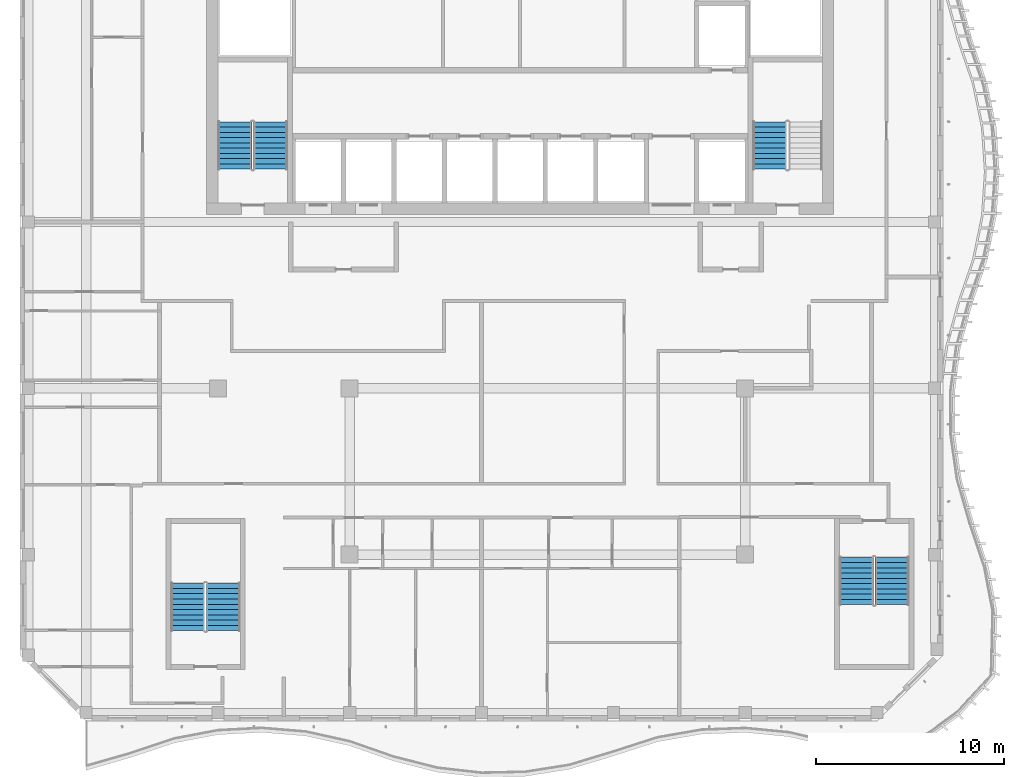
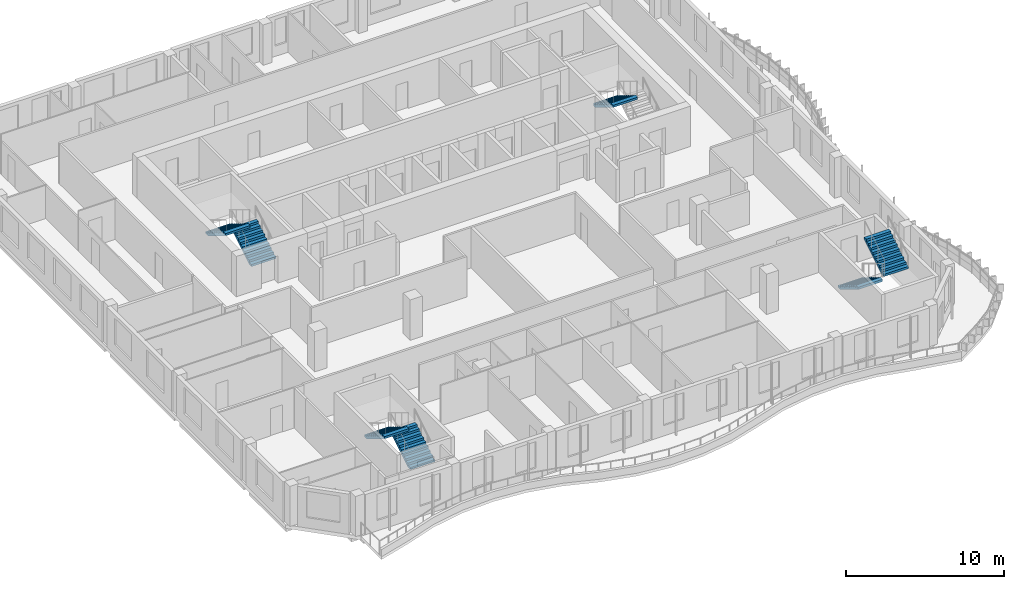
# One storey, part 10 of 18: 7 stair flights, 4 elements without a shape of their own.
"""IFC4 building model written with IfcOpenShell, lengths in metres."""

from ifc_helpers import new_model, si_unit, direction, frame, origin, place, context, subcontext, project, spatial, triangles, source, transform, mapped, material, type_object, element, aggregate, save


model = new_model("IFC4")

# Units and contexts
model_context = context("Model", 3, precision=1e-05, world=origin(), true_north=direction((0.0, 1.0)))
body_context = subcontext(model_context, "Body", "Model", "MODEL_VIEW")
ifc_project = project(units=[si_unit("LENGTHUNIT", "METRE"), si_unit("AREAUNIT", "SQUARE_METRE"), si_unit("VOLUMEUNIT", "CUBIC_METRE"), si_unit("PLANEANGLEUNIT", "RADIAN"), si_unit("MASSUNIT", "GRAM", prefix="KILO")], contexts=[model_context])

# Site, building, storey
site_placement = place(None, origin())
site = spatial("IfcSite", under=ifc_project, at=site_placement, CompositionType="ELEMENT")
building_placement = place(site_placement, origin())
building = spatial("IfcBuilding", under=site, at=building_placement, Name="Kilnfold Tower and Market Hall", CompositionType="ELEMENT")
storey_placement = place(building_placement, frame((0.0, 0.0, 280.60009765625)))
storey = spatial("IfcBuildingStorey", under=building, at=storey_placement, Name="L69", CompositionType="ELEMENT", Elevation=280.60009765625)

# Stair, stair flights
ifc_material_1 = material(Name="Concrete C40/50", Category="concrete")
stair_type = type_object("IfcStairType", Name="CORE STAIR 1800", PredefinedType="HALF_TURN_STAIR", material=ifc_material_1)
stair_1_placement = place(storey_placement, origin())
stair_1 = element("IfcStair", 1, at=stair_1_placement, inside=storey, type_object=stair_type, Name="L69 ST1", PredefinedType="HALF_TURN_STAIR")
ifc_material_2 = material(Name="Concrete C40/50", Category="concrete")
stair_flight_type = type_object("IfcStairFlightType", Name="CORE STAIR FLIGHT 1800", PredefinedType="STRAIGHT", material=ifc_material_2)
shared_shape = source(origin(), body_context, "Body", "Tessellation", [
    triangles([(0.0, 0.89990234375, 0.0), (0.0, 0.78759765625, 0.0), (0.0, 0.675048828125, 0.0), (0.0, 0.5625, 0.0), (0.0, 0.449951171875, 0.0), (0.0, 0.33740234375, 0.0), (0.0, 0.22509765625, 0.0), (0.0, 0.112548828125, 0.0), (0.0, 0.0, 0.0), (0.0, -0.112548828125, 0.0), (0.0, -0.22509765625, 0.0), (0.0, -0.33740234375, 0.0), (0.0, -0.449951171875, 0.0), (0.0, -0.5625, 0.0), (0.0, -0.675048828125, 0.0), (0.0, -0.78759765625, 0.0), (0.0, -0.89990234375, 0.0), (0.0, 0.89990234375, 0.169921875), (0.0, 0.78759765625, 0.169921875), (0.0, 0.675048828125, 0.169921875), (0.0, 0.5625, 0.169921875), (0.0, 0.449951171875, 0.169921875), (0.0, 0.33740234375, 0.169921875), (0.0, 0.22509765625, 0.169921875), (0.0, 0.112548828125, 0.169921875), (0.0, 0.0, 0.169921875), (0.0, -0.112548828125, 0.169921875), (0.0, -0.22509765625, 0.169921875), (0.0, -0.33740234375, 0.169921875), (0.0, -0.449951171875, 0.169921875), (0.0, -0.5625, 0.169921875), (0.0, -0.675048828125, 0.169921875), (0.0, -0.78759765625, 0.169921875), (0.0, -0.89990234375, 0.169921875), (0.280029296875, 0.89990234375, 0.169921875), (0.280029296875, 0.78759765625, 0.169921875), (0.280029296875, 0.675048828125, 0.169921875), (0.280029296875, 0.5625, 0.169921875), (0.280029296875, 0.449951171875, 0.169921875), (0.280029296875, 0.33740234375, 0.169921875), (0.280029296875, 0.22509765625, 0.169921875), (0.280029296875, 0.112548828125, 0.169921875), (0.280029296875, 0.0, 0.169921875), (0.280029296875, -0.112548828125, 0.169921875), (0.280029296875, -0.22509765625, 0.169921875), (0.280029296875, -0.33740234375, 0.169921875), (0.280029296875, -0.449951171875, 0.169921875), (0.280029296875, -0.5625, 0.169921875), (0.280029296875, -0.675048828125, 0.169921875), (0.280029296875, -0.78759765625, 0.169921875), (0.280029296875, -0.89990234375, 0.169921875), (0.280029296875, 0.89990234375, 0.340087890625), (0.280029296875, 0.78759765625, 0.340087890625), (0.280029296875, 0.675048828125, 0.340087890625), (0.280029296875, 0.5625, 0.340087890625), (0.280029296875, 0.449951171875, 0.340087890625), (0.280029296875, 0.33740234375, 0.340087890625), (0.280029296875, 0.22509765625, 0.340087890625), (0.280029296875, 0.112548828125, 0.340087890625), (0.280029296875, 0.0, 0.340087890625), (0.280029296875, -0.112548828125, 0.340087890625), (0.280029296875, -0.22509765625, 0.340087890625), (0.280029296875, -0.33740234375, 0.340087890625), (0.280029296875, -0.449951171875, 0.340087890625), (0.280029296875, -0.5625, 0.340087890625), (0.280029296875, -0.675048828125, 0.340087890625), (0.280029296875, -0.78759765625, 0.340087890625), (0.280029296875, -0.89990234375, 0.340087890625), (0.56005859375, 0.89990234375, 0.340087890625), (0.56005859375, 0.78759765625, 0.340087890625), (0.56005859375, 0.675048828125, 0.340087890625), (0.56005859375, 0.5625, 0.340087890625), (0.56005859375, 0.449951171875, 0.340087890625), (0.56005859375, 0.33740234375, 0.340087890625), (0.56005859375, 0.22509765625, 0.340087890625), (0.56005859375, 0.112548828125, 0.340087890625), (0.56005859375, 0.0, 0.340087890625), (0.56005859375, -0.112548828125, 0.340087890625), (0.56005859375, -0.22509765625, 0.340087890625), (0.56005859375, -0.33740234375, 0.340087890625), (0.56005859375, -0.449951171875, 0.340087890625), (0.56005859375, -0.5625, 0.340087890625), (0.56005859375, -0.675048828125, 0.340087890625), (0.56005859375, -0.78759765625, 0.340087890625), (0.56005859375, -0.89990234375, 0.340087890625), (0.56005859375, 0.89990234375, 0.510009765625), (0.56005859375, 0.78759765625, 0.510009765625), (0.56005859375, 0.675048828125, 0.510009765625), (0.56005859375, 0.5625, 0.510009765625), (0.56005859375, 0.449951171875, 0.510009765625), (0.56005859375, 0.33740234375, 0.510009765625), (0.56005859375, 0.22509765625, 0.510009765625), (0.56005859375, 0.112548828125, 0.510009765625), (0.56005859375, 0.0, 0.510009765625), (0.56005859375, -0.112548828125, 0.510009765625), (0.56005859375, -0.22509765625, 0.510009765625), (0.56005859375, -0.33740234375, 0.510009765625), (0.56005859375, -0.449951171875, 0.510009765625), (0.56005859375, -0.5625, 0.510009765625), (0.56005859375, -0.675048828125, 0.510009765625), (0.56005859375, -0.78759765625, 0.510009765625), (0.56005859375, -0.89990234375, 0.510009765625), (0.840087890625, 0.89990234375, 0.510009765625), (0.840087890625, 0.78759765625, 0.510009765625), (0.840087890625, 0.675048828125, 0.510009765625), (0.840087890625, 0.5625, 0.510009765625), (0.840087890625, 0.449951171875, 0.510009765625), (0.840087890625, 0.33740234375, 0.510009765625), (0.840087890625, 0.22509765625, 0.510009765625), (0.840087890625, 0.112548828125, 0.510009765625), (0.840087890625, 0.0, 0.510009765625), (0.840087890625, -0.112548828125, 0.510009765625), (0.840087890625, -0.22509765625, 0.510009765625), (0.840087890625, -0.33740234375, 0.510009765625), (0.840087890625, -0.449951171875, 0.510009765625), (0.840087890625, -0.5625, 0.510009765625), (0.840087890625, -0.675048828125, 0.510009765625), (0.840087890625, -0.78759765625, 0.510009765625), (0.840087890625, -0.89990234375, 0.510009765625), (0.840087890625, 0.89990234375, 0.679931640625), (0.840087890625, 0.78759765625, 0.679931640625), (0.840087890625, 0.675048828125, 0.679931640625), (0.840087890625, 0.5625, 0.679931640625), (0.840087890625, 0.449951171875, 0.679931640625), (0.840087890625, 0.33740234375, 0.679931640625), (0.840087890625, 0.22509765625, 0.679931640625), (0.840087890625, 0.112548828125, 0.679931640625), (0.840087890625, 0.0, 0.679931640625), (0.840087890625, -0.112548828125, 0.679931640625), (0.840087890625, -0.22509765625, 0.679931640625), (0.840087890625, -0.33740234375, 0.679931640625), (0.840087890625, -0.449951171875, 0.679931640625), (0.840087890625, -0.5625, 0.679931640625), (0.840087890625, -0.675048828125, 0.679931640625), (0.840087890625, -0.78759765625, 0.679931640625), (0.840087890625, -0.89990234375, 0.679931640625), (1.1201171875, 0.89990234375, 0.679931640625), (1.1201171875, 0.78759765625, 0.679931640625), (1.1201171875, 0.675048828125, 0.679931640625), (1.1201171875, 0.5625, 0.679931640625), (1.1201171875, 0.449951171875, 0.679931640625), (1.1201171875, 0.33740234375, 0.679931640625), (1.1201171875, 0.22509765625, 0.679931640625), (1.1201171875, 0.112548828125, 0.679931640625), (1.1201171875, 0.0, 0.679931640625), (1.1201171875, -0.112548828125, 0.679931640625), (1.1201171875, -0.22509765625, 0.679931640625), (1.1201171875, -0.33740234375, 0.679931640625), (1.1201171875, -0.449951171875, 0.679931640625), (1.1201171875, -0.5625, 0.679931640625), (1.1201171875, -0.675048828125, 0.679931640625), (1.1201171875, -0.78759765625, 0.679931640625), (1.1201171875, -0.89990234375, 0.679931640625), (1.1201171875, 0.89990234375, 0.85009765625), (1.1201171875, 0.78759765625, 0.85009765625), (1.1201171875, 0.675048828125, 0.85009765625), (1.1201171875, 0.5625, 0.85009765625), (1.1201171875, 0.449951171875, 0.85009765625), (1.1201171875, 0.33740234375, 0.85009765625), (1.1201171875, 0.22509765625, 0.85009765625), (1.1201171875, 0.112548828125, 0.85009765625), (1.1201171875, 0.0, 0.85009765625), (1.1201171875, -0.112548828125, 0.85009765625), (1.1201171875, -0.22509765625, 0.85009765625), (1.1201171875, -0.33740234375, 0.85009765625), (1.1201171875, -0.449951171875, 0.85009765625), (1.1201171875, -0.5625, 0.85009765625), (1.1201171875, -0.675048828125, 0.85009765625), (1.1201171875, -0.78759765625, 0.85009765625), (1.1201171875, -0.89990234375, 0.85009765625), (1.39990234375, 0.89990234375, 0.85009765625), (1.39990234375, 0.78759765625, 0.85009765625), (1.39990234375, 0.675048828125, 0.85009765625), (1.39990234375, 0.5625, 0.85009765625), (1.39990234375, 0.449951171875, 0.85009765625), (1.39990234375, 0.33740234375, 0.85009765625), (1.39990234375, 0.22509765625, 0.85009765625), (1.39990234375, 0.112548828125, 0.85009765625), (1.39990234375, 0.0, 0.85009765625), (1.39990234375, -0.112548828125, 0.85009765625), (1.39990234375, -0.22509765625, 0.85009765625), (1.39990234375, -0.33740234375, 0.85009765625), (1.39990234375, -0.449951171875, 0.85009765625), (1.39990234375, -0.5625, 0.85009765625), (1.39990234375, -0.675048828125, 0.85009765625), (1.39990234375, -0.78759765625, 0.85009765625), (1.39990234375, -0.89990234375, 0.85009765625), (1.39990234375, 0.89990234375, 1.02001953125), (1.39990234375, 0.78759765625, 1.02001953125), (1.39990234375, 0.675048828125, 1.02001953125), (1.39990234375, 0.5625, 1.02001953125), (1.39990234375, 0.449951171875, 1.02001953125), (1.39990234375, 0.33740234375, 1.02001953125), (1.39990234375, 0.22509765625, 1.02001953125), (1.39990234375, 0.112548828125, 1.02001953125), (1.39990234375, 0.0, 1.02001953125), (1.39990234375, -0.112548828125, 1.02001953125), (1.39990234375, -0.22509765625, 1.02001953125), (1.39990234375, -0.33740234375, 1.02001953125), (1.39990234375, -0.449951171875, 1.02001953125), (1.39990234375, -0.5625, 1.02001953125), (1.39990234375, -0.675048828125, 1.02001953125), (1.39990234375, -0.78759765625, 1.02001953125), (1.39990234375, -0.89990234375, 1.02001953125), (1.679931640625, 0.89990234375, 1.02001953125), (1.679931640625, 0.78759765625, 1.02001953125), (1.679931640625, 0.675048828125, 1.02001953125), (1.679931640625, 0.5625, 1.02001953125), (1.679931640625, 0.449951171875, 1.02001953125), (1.679931640625, 0.33740234375, 1.02001953125), (1.679931640625, 0.22509765625, 1.02001953125), (1.679931640625, 0.112548828125, 1.02001953125), (1.679931640625, 0.0, 1.02001953125), (1.679931640625, -0.112548828125, 1.02001953125), (1.679931640625, -0.22509765625, 1.02001953125), (1.679931640625, -0.33740234375, 1.02001953125), (1.679931640625, -0.449951171875, 1.02001953125), (1.679931640625, -0.5625, 1.02001953125), (1.679931640625, -0.675048828125, 1.02001953125), (1.679931640625, -0.78759765625, 1.02001953125), (1.679931640625, -0.89990234375, 1.02001953125), (1.679931640625, 0.89990234375, 1.18994140625), (1.679931640625, 0.78759765625, 1.18994140625), (1.679931640625, 0.675048828125, 1.18994140625), (1.679931640625, 0.5625, 1.18994140625), (1.679931640625, 0.449951171875, 1.18994140625), (1.679931640625, 0.33740234375, 1.18994140625), (1.679931640625, 0.22509765625, 1.18994140625), (1.679931640625, 0.112548828125, 1.18994140625), (1.679931640625, 0.0, 1.18994140625), (1.679931640625, -0.112548828125, 1.18994140625), (1.679931640625, -0.22509765625, 1.18994140625), (1.679931640625, -0.33740234375, 1.18994140625), (1.679931640625, -0.449951171875, 1.18994140625), (1.679931640625, -0.5625, 1.18994140625), (1.679931640625, -0.675048828125, 1.18994140625), (1.679931640625, -0.78759765625, 1.18994140625), (1.679931640625, -0.89990234375, 1.18994140625), (1.9599609375, 0.89990234375, 1.18994140625), (1.9599609375, 0.78759765625, 1.18994140625), (1.9599609375, 0.675048828125, 1.18994140625), (1.9599609375, 0.5625, 1.18994140625), (1.9599609375, 0.449951171875, 1.18994140625), (1.9599609375, 0.33740234375, 1.18994140625), (1.9599609375, 0.22509765625, 1.18994140625), (1.9599609375, 0.112548828125, 1.18994140625), (1.9599609375, 0.0, 1.18994140625), (1.9599609375, -0.112548828125, 1.18994140625), (1.9599609375, -0.22509765625, 1.18994140625), (1.9599609375, -0.33740234375, 1.18994140625), (1.9599609375, -0.449951171875, 1.18994140625), (1.9599609375, -0.5625, 1.18994140625), (1.9599609375, -0.675048828125, 1.18994140625), (1.9599609375, -0.78759765625, 1.18994140625), (1.9599609375, -0.89990234375, 1.18994140625), (1.9599609375, 0.89990234375, 1.360107421875), (1.9599609375, 0.78759765625, 1.360107421875), (1.9599609375, 0.675048828125, 1.360107421875), (1.9599609375, 0.5625, 1.360107421875), (1.9599609375, 0.449951171875, 1.360107421875), (1.9599609375, 0.33740234375, 1.360107421875), (1.9599609375, 0.22509765625, 1.360107421875), (1.9599609375, 0.112548828125, 1.360107421875), (1.9599609375, 0.0, 1.360107421875), (1.9599609375, -0.112548828125, 1.360107421875), (1.9599609375, -0.22509765625, 1.360107421875), (1.9599609375, -0.33740234375, 1.360107421875), (1.9599609375, -0.449951171875, 1.360107421875), (1.9599609375, -0.5625, 1.360107421875), (1.9599609375, -0.675048828125, 1.360107421875), (1.9599609375, -0.78759765625, 1.360107421875), (1.9599609375, -0.89990234375, 1.360107421875), (2.239990234375, 0.89990234375, 1.360107421875), (2.239990234375, 0.78759765625, 1.360107421875), (2.239990234375, 0.675048828125, 1.360107421875), (2.239990234375, 0.5625, 1.360107421875), (2.239990234375, 0.449951171875, 1.360107421875), (2.239990234375, 0.33740234375, 1.360107421875), (2.239990234375, 0.22509765625, 1.360107421875), (2.239990234375, 0.112548828125, 1.360107421875), (2.239990234375, 0.0, 1.360107421875), (2.239990234375, -0.112548828125, 1.360107421875), (2.239990234375, -0.22509765625, 1.360107421875), (2.239990234375, -0.33740234375, 1.360107421875), (2.239990234375, -0.449951171875, 1.360107421875), (2.239990234375, -0.5625, 1.360107421875), (2.239990234375, -0.675048828125, 1.360107421875), (2.239990234375, -0.78759765625, 1.360107421875), (2.239990234375, -0.89990234375, 1.360107421875), (2.239990234375, 0.89990234375, 1.530029296875), (2.239990234375, 0.78759765625, 1.530029296875), (2.239990234375, 0.675048828125, 1.530029296875), (2.239990234375, 0.5625, 1.530029296875), (2.239990234375, 0.449951171875, 1.530029296875), (2.239990234375, 0.33740234375, 1.530029296875), (2.239990234375, 0.22509765625, 1.530029296875), (2.239990234375, 0.112548828125, 1.530029296875), (2.239990234375, 0.0, 1.530029296875), (2.239990234375, -0.112548828125, 1.530029296875), (2.239990234375, -0.22509765625, 1.530029296875), (2.239990234375, -0.33740234375, 1.530029296875), (2.239990234375, -0.449951171875, 1.530029296875), (2.239990234375, -0.5625, 1.530029296875), (2.239990234375, -0.675048828125, 1.530029296875), (2.239990234375, -0.78759765625, 1.530029296875), (2.239990234375, -0.89990234375, 1.530029296875), (2.52001953125, 0.89990234375, 1.530029296875), (2.52001953125, 0.78759765625, 1.530029296875), (2.52001953125, 0.675048828125, 1.530029296875), (2.52001953125, 0.5625, 1.530029296875), (2.52001953125, 0.449951171875, 1.530029296875), (2.52001953125, 0.33740234375, 1.530029296875), (2.52001953125, 0.22509765625, 1.530029296875), (2.52001953125, 0.112548828125, 1.530029296875), (2.52001953125, 0.0, 1.530029296875), (2.52001953125, -0.112548828125, 1.530029296875), (2.52001953125, -0.22509765625, 1.530029296875), (2.52001953125, -0.33740234375, 1.530029296875), (2.52001953125, -0.449951171875, 1.530029296875), (2.52001953125, -0.5625, 1.530029296875), (2.52001953125, -0.675048828125, 1.530029296875), (2.52001953125, -0.78759765625, 1.530029296875), (2.52001953125, -0.89990234375, 1.530029296875), (2.52001953125, 0.89990234375, 1.354736328125), (2.52001953125, 0.78759765625, 1.354736328125), (2.52001953125, 0.675048828125, 1.354736328125), (2.52001953125, 0.5625, 1.354736328125), (2.52001953125, 0.449951171875, 1.354736328125), (2.52001953125, 0.33740234375, 1.354736328125), (2.52001953125, 0.22509765625, 1.354736328125), (2.52001953125, 0.112548828125, 1.354736328125), (2.52001953125, 0.0, 1.354736328125), (2.52001953125, -0.112548828125, 1.354736328125), (2.52001953125, -0.22509765625, 1.354736328125), (2.52001953125, -0.33740234375, 1.354736328125), (2.52001953125, -0.449951171875, 1.354736328125), (2.52001953125, -0.5625, 1.354736328125), (2.52001953125, -0.675048828125, 1.354736328125), (2.52001953125, -0.78759765625, 1.354736328125), (2.52001953125, -0.89990234375, 1.354736328125), (0.288818359375, 0.89990234375, 0.0), (0.288818359375, 0.78759765625, 0.0), (0.288818359375, 0.675048828125, 0.0), (0.288818359375, 0.5625, 0.0), (0.288818359375, 0.449951171875, 0.0), (0.288818359375, 0.33740234375, 0.0), (0.288818359375, 0.22509765625, 0.0), (0.288818359375, 0.112548828125, 0.0), (0.288818359375, 0.0, 0.0), (0.288818359375, -0.112548828125, 0.0), (0.288818359375, -0.22509765625, 0.0), (0.288818359375, -0.33740234375, 0.0), (0.288818359375, -0.449951171875, 0.0), (0.288818359375, -0.5625, 0.0), (0.288818359375, -0.675048828125, 0.0), (0.288818359375, -0.78759765625, 0.0), (0.288818359375, -0.89990234375, 0.0)], [[1, 324, 341], [17, 357, 340], [324, 290, 307], [340, 323, 306], [324, 273, 290], [340, 306, 289], [324, 256, 273], [340, 289, 272], [324, 239, 256], [340, 272, 255], [239, 205, 222], [255, 238, 221], [324, 205, 239], [340, 255, 221], [205, 171, 188], [221, 204, 187], [324, 171, 205], [340, 221, 187], [171, 137, 154], [187, 170, 153], [324, 137, 171], [340, 187, 153], [137, 103, 120], [153, 136, 119], [324, 103, 137], [340, 153, 119], [103, 69, 86], [119, 102, 85], [324, 69, 103], [340, 119, 85], [69, 35, 52], [85, 68, 51], [324, 35, 69], [340, 85, 51], [1, 35, 324], [17, 340, 51], [35, 1, 18], [51, 34, 17], [1, 19, 18], [1, 2, 19], [2, 20, 19], [2, 3, 20], [3, 21, 20], [3, 4, 21], [4, 22, 21], [4, 5, 22], [5, 23, 22], [5, 6, 23], [6, 24, 23], [6, 7, 24], [7, 25, 24], [7, 8, 25], [8, 26, 25], [8, 9, 26], [9, 27, 26], [9, 10, 27], [10, 28, 27], [10, 11, 28], [11, 29, 28], [11, 12, 29], [12, 30, 29], [12, 13, 30], [13, 31, 30], [13, 14, 31], [14, 32, 31], [14, 15, 32], [15, 33, 32], [15, 16, 33], [16, 34, 33], [16, 17, 34], [18, 36, 35], [18, 19, 36], [19, 37, 36], [19, 20, 37], [20, 38, 37], [20, 21, 38], [21, 39, 38], [21, 22, 39], [22, 40, 39], [22, 23, 40], [23, 41, 40], [23, 24, 41], [24, 42, 41], [24, 25, 42], [25, 43, 42], [25, 26, 43], [26, 44, 43], [26, 27, 44], [27, 45, 44], [27, 28, 45], [28, 46, 45], [28, 29, 46], [29, 47, 46], [29, 30, 47], [30, 48, 47], [30, 31, 48], [31, 49, 48], [31, 32, 49], [32, 50, 49], [32, 33, 50], [33, 51, 50], [33, 34, 51], [35, 53, 52], [35, 36, 53], [36, 54, 53], [36, 37, 54], [37, 55, 54], [37, 38, 55], [38, 56, 55], [38, 39, 56], [39, 57, 56], [39, 40, 57], [40, 58, 57], [40, 41, 58], [41, 59, 58], [41, 42, 59], [42, 60, 59], [42, 43, 60], [43, 61, 60], [43, 44, 61], [44, 62, 61], [44, 45, 62], [45, 63, 62], [45, 46, 63], [46, 64, 63], [46, 47, 64], [47, 65, 64], [47, 48, 65], [48, 66, 65], [48, 49, 66], [49, 67, 66], [49, 50, 67], [50, 68, 67], [50, 51, 68], [52, 70, 69], [52, 53, 70], [53, 71, 70], [53, 54, 71], [54, 72, 71], [54, 55, 72], [55, 73, 72], [55, 56, 73], [56, 74, 73], [56, 57, 74], [57, 75, 74], [57, 58, 75], [58, 76, 75], [58, 59, 76], [59, 77, 76], [59, 60, 77], [60, 78, 77], [60, 61, 78], [61, 79, 78], [61, 62, 79], [62, 80, 79], [62, 63, 80], [63, 81, 80], [63, 64, 81], [64, 82, 81], [64, 65, 82], [65, 83, 82], [65, 66, 83], [66, 84, 83], [66, 67, 84], [67, 85, 84], [67, 68, 85], [69, 87, 86], [69, 70, 87], [70, 88, 87], [70, 71, 88], [71, 89, 88], [71, 72, 89], [72, 90, 89], [72, 73, 90], [73, 91, 90], [73, 74, 91], [74, 92, 91], [74, 75, 92], [75, 93, 92], [75, 76, 93], [76, 94, 93], [76, 77, 94], [77, 95, 94], [77, 78, 95], [78, 96, 95], [78, 79, 96], [79, 97, 96], [79, 80, 97], [80, 98, 97], [80, 81, 98], [81, 99, 98], [81, 82, 99], [82, 100, 99], [82, 83, 100], [83, 101, 100], [83, 84, 101], [84, 102, 101], [84, 85, 102], [86, 104, 103], [86, 87, 104], [87, 105, 104], [87, 88, 105], [88, 106, 105], [88, 89, 106], [89, 107, 106], [89, 90, 107], [90, 108, 107], [90, 91, 108], [91, 109, 108], [91, 92, 109], [92, 110, 109], [92, 93, 110], [93, 111, 110], [93, 94, 111], [94, 112, 111], [94, 95, 112], [95, 113, 112], [95, 96, 113], [96, 114, 113], [96, 97, 114], [97, 115, 114], [97, 98, 115], [98, 116, 115], [98, 99, 116], [99, 117, 116], [99, 100, 117], [100, 118, 117], [100, 101, 118], [101, 119, 118], [101, 102, 119], [103, 121, 120], [103, 104, 121], [104, 122, 121], [104, 105, 122], [105, 123, 122], [105, 106, 123], [106, 124, 123], [106, 107, 124], [107, 125, 124], [107, 108, 125], [108, 126, 125], [108, 109, 126], [109, 127, 126], [109, 110, 127], [110, 128, 127], [110, 111, 128], [111, 129, 128], [111, 112, 129], [112, 130, 129], [112, 113, 130], [113, 131, 130], [113, 114, 131], [114, 132, 131], [114, 115, 132], [115, 133, 132], [115, 116, 133], [116, 134, 133], [116, 117, 134], [117, 135, 134], [117, 118, 135], [118, 136, 135], [118, 119, 136], [120, 138, 137], [120, 121, 138], [121, 139, 138], [121, 122, 139], [122, 140, 139], [122, 123, 140], [123, 141, 140], [123, 124, 141], [124, 142, 141], [124, 125, 142], [125, 143, 142], [125, 126, 143], [126, 144, 143], [126, 127, 144], [127, 145, 144], [127, 128, 145], [128, 146, 145], [128, 129, 146], [129, 147, 146], [129, 130, 147], [130, 148, 147], [130, 131, 148], [131, 149, 148], [131, 132, 149], [132, 150, 149], [132, 133, 150], [133, 151, 150], [133, 134, 151], [134, 152, 151], [134, 135, 152], [135, 153, 152], [135, 136, 153], [137, 155, 154], [137, 138, 155], [138, 156, 155], [138, 139, 156], [139, 157, 156], [139, 140, 157], [140, 158, 157], [140, 141, 158], [141, 159, 158], [141, 142, 159], [142, 160, 159], [142, 143, 160], [143, 161, 160], [143, 144, 161], [144, 162, 161], [144, 145, 162], [145, 163, 162], [145, 146, 163], [146, 164, 163], [146, 147, 164], [147, 165, 164], [147, 148, 165], [148, 166, 165], [148, 149, 166], [149, 167, 166], [149, 150, 167], [150, 168, 167], [150, 151, 168], [151, 169, 168], [151, 152, 169], [152, 170, 169], [152, 153, 170], [154, 172, 171], [154, 155, 172], [155, 173, 172], [155, 156, 173], [156, 174, 173], [156, 157, 174], [157, 175, 174], [157, 158, 175], [158, 176, 175], [158, 159, 176], [159, 177, 176], [159, 160, 177], [160, 178, 177], [160, 161, 178], [161, 179, 178], [161, 162, 179], [162, 180, 179], [162, 163, 180], [163, 181, 180], [163, 164, 181], [164, 182, 181], [164, 165, 182], [165, 183, 182], [165, 166, 183], [166, 184, 183], [166, 167, 184], [167, 185, 184], [167, 168, 185], [168, 186, 185], [168, 169, 186], [169, 187, 186], [169, 170, 187], [171, 189, 188], [171, 172, 189], [172, 190, 189], [172, 173, 190], [173, 191, 190], [173, 174, 191], [174, 192, 191], [174, 175, 192], [175, 193, 192], [175, 176, 193], [176, 194, 193], [176, 177, 194], [177, 195, 194], [177, 178, 195], [178, 196, 195], [178, 179, 196], [179, 197, 196], [179, 180, 197], [180, 198, 197], [180, 181, 198], [181, 199, 198], [181, 182, 199], [182, 200, 199], [182, 183, 200], [183, 201, 200], [183, 184, 201], [184, 202, 201], [184, 185, 202], [185, 203, 202], [185, 186, 203], [186, 204, 203], [186, 187, 204], [188, 206, 205], [188, 189, 206], [189, 207, 206], [189, 190, 207], [190, 208, 207], [190, 191, 208], [191, 209, 208], [191, 192, 209], [192, 210, 209], [192, 193, 210], [193, 211, 210], [193, 194, 211], [194, 212, 211], [194, 195, 212], [195, 213, 212], [195, 196, 213], [196, 214, 213], [196, 197, 214], [197, 215, 214], [197, 198, 215], [198, 216, 215], [198, 199, 216], [199, 217, 216], [199, 200, 217], [200, 218, 217], [200, 201, 218], [201, 219, 218], [201, 202, 219], [202, 220, 219], [202, 203, 220], [203, 221, 220], [203, 204, 221], [205, 223, 222], [205, 206, 223], [206, 224, 223], [206, 207, 224], [207, 225, 224], [207, 208, 225], [208, 226, 225], [208, 209, 226], [209, 227, 226], [209, 210, 227], [210, 228, 227], [210, 211, 228], [211, 229, 228], [211, 212, 229], [212, 230, 229], [212, 213, 230], [213, 231, 230], [213, 214, 231], [214, 232, 231], [214, 215, 232], [215, 233, 232], [215, 216, 233], [216, 234, 233], [216, 217, 234], [217, 235, 234], [217, 218, 235], [218, 236, 235], [218, 219, 236], [219, 237, 236], [219, 220, 237], [220, 238, 237], [220, 221, 238], [222, 240, 239], [222, 223, 240], [223, 241, 240], [223, 224, 241], [224, 242, 241], [224, 225, 242], [225, 243, 242], [225, 226, 243], [226, 244, 243], [226, 227, 244], [227, 245, 244], [227, 228, 245], [228, 246, 245], [228, 229, 246], [229, 247, 246], [229, 230, 247], [230, 248, 247], [230, 231, 248], [231, 249, 248], [231, 232, 249], [232, 250, 249], [232, 233, 250], [233, 251, 250], [233, 234, 251], [234, 252, 251], [234, 235, 252], [235, 253, 252], [235, 236, 253], [236, 254, 253], [236, 237, 254], [237, 255, 254], [237, 238, 255], [239, 257, 256], [239, 240, 257], [240, 258, 257], [240, 241, 258], [241, 259, 258], [241, 242, 259], [242, 260, 259], [242, 243, 260], [243, 261, 260], [243, 244, 261], [244, 262, 261], [244, 245, 262], [245, 263, 262], [245, 246, 263], [246, 264, 263], [246, 247, 264], [247, 265, 264], [247, 248, 265], [248, 266, 265], [248, 249, 266], [249, 267, 266], [249, 250, 267], [250, 268, 267], [250, 251, 268], [251, 269, 268], [251, 252, 269], [252, 270, 269], [252, 253, 270], [253, 271, 270], [253, 254, 271], [254, 272, 271], [254, 255, 272], [256, 274, 273], [256, 257, 274], [257, 275, 274], [257, 258, 275], [258, 276, 275], [258, 259, 276], [259, 277, 276], [259, 260, 277], [260, 278, 277], [260, 261, 278], [261, 279, 278], [261, 262, 279], [262, 280, 279], [262, 263, 280], [263, 281, 280], [263, 264, 281], [264, 282, 281], [264, 265, 282], [265, 283, 282], [265, 266, 283], [266, 284, 283], [266, 267, 284], [267, 285, 284], [267, 268, 285], [268, 286, 285], [268, 269, 286], [269, 287, 286], [269, 270, 287], [270, 288, 287], [270, 271, 288], [271, 289, 288], [271, 272, 289], [273, 291, 290], [273, 274, 291], [274, 292, 291], [274, 275, 292], [275, 293, 292], [275, 276, 293], [276, 294, 293], [276, 277, 294], [277, 295, 294], [277, 278, 295], [278, 296, 295], [278, 279, 296], [279, 297, 296], [279, 280, 297], [280, 298, 297], [280, 281, 298], [281, 299, 298], [281, 282, 299], [282, 300, 299], [282, 283, 300], [283, 301, 300], [283, 284, 301], [284, 302, 301], [284, 285, 302], [285, 303, 302], [285, 286, 303], [286, 304, 303], [286, 287, 304], [287, 305, 304], [287, 288, 305], [288, 306, 305], [288, 289, 306], [290, 308, 307], [290, 291, 308], [291, 309, 308], [291, 292, 309], [292, 310, 309], [292, 293, 310], [293, 311, 310], [293, 294, 311], [294, 312, 311], [294, 295, 312], [295, 313, 312], [295, 296, 313], [296, 314, 313], [296, 297, 314], [297, 315, 314], [297, 298, 315], [298, 316, 315], [298, 299, 316], [299, 317, 316], [299, 300, 317], [300, 318, 317], [300, 301, 318], [301, 319, 318], [301, 302, 319], [302, 320, 319], [302, 303, 320], [303, 321, 320], [303, 304, 321], [304, 322, 321], [304, 305, 322], [305, 323, 322], [305, 306, 323], [307, 325, 324], [307, 308, 325], [308, 326, 325], [308, 309, 326], [309, 327, 326], [309, 310, 327], [310, 328, 327], [310, 311, 328], [311, 329, 328], [311, 312, 329], [312, 330, 329], [312, 313, 330], [313, 331, 330], [313, 314, 331], [314, 332, 331], [314, 315, 332], [315, 333, 332], [315, 316, 333], [316, 334, 333], [316, 317, 334], [317, 335, 334], [317, 318, 335], [318, 336, 335], [318, 319, 336], [319, 337, 336], [319, 320, 337], [320, 338, 337], [320, 321, 338], [321, 339, 338], [321, 322, 339], [322, 340, 339], [322, 323, 340], [324, 342, 341], [324, 325, 342], [325, 343, 342], [325, 326, 343], [326, 344, 343], [326, 327, 344], [327, 345, 344], [327, 328, 345], [328, 346, 345], [328, 329, 346], [329, 347, 346], [329, 330, 347], [330, 348, 347], [330, 331, 348], [331, 349, 348], [331, 332, 349], [332, 350, 349], [332, 333, 350], [333, 351, 350], [333, 334, 351], [334, 352, 351], [334, 335, 352], [335, 353, 352], [335, 336, 353], [336, 354, 353], [336, 337, 354], [337, 355, 354], [337, 338, 355], [338, 356, 355], [338, 339, 356], [339, 357, 356], [339, 340, 357], [341, 2, 1], [341, 342, 2], [342, 3, 2], [342, 343, 3], [343, 4, 3], [343, 344, 4], [344, 5, 4], [344, 345, 5], [345, 6, 5], [345, 346, 6], [346, 7, 6], [346, 347, 7], [347, 8, 7], [347, 348, 8], [348, 9, 8], [348, 349, 9], [349, 10, 9], [349, 350, 10], [350, 11, 10], [350, 351, 11], [351, 12, 11], [351, 352, 12], [352, 13, 12], [352, 353, 13], [353, 14, 13], [353, 354, 14], [354, 15, 14], [354, 355, 15], [355, 16, 15], [355, 356, 16], [356, 17, 16], [356, 357, 17]], closed=True),
])
stair_flight_1_placement = place(storey_placement, frame((-12.199951171875, 10.800048828125, 0.0), z_axis=(0.0, 0.0, 1.0), x_axis=(0.0, 1.0, 0.0)))
stair_flight_1 = element("IfcStairFlight", 2, at=stair_flight_1_placement, type_object=stair_flight_type, Name="ST1 flight 1", NumberOfRisers=10, NumberOfTreads=9, PredefinedType="STRAIGHT", RiserHeight=0.17, TreadLength=0.28, context=body_context, shape_type="MappedRepresentation", body=[
    mapped(shared_shape, transform((0.0, 0.0, 0.0))),
])
stair_flight_2_placement = place(storey_placement, frame((-14.10009765625, 13.320068359375, 1.699951171875), z_axis=(0.0, 0.0, 1.0), x_axis=(0.0, -1.0, 0.0)))
stair_flight_2 = element("IfcStairFlight", 3, at=stair_flight_2_placement, type_object=stair_flight_type, Name="ST1 flight 2", NumberOfRisers=10, NumberOfTreads=9, PredefinedType="STRAIGHT", RiserHeight=0.17, TreadLength=0.28, context=body_context, shape_type="MappedRepresentation", body=[
    mapped(shared_shape, transform((0.0, 0.0, 0.0))),
])
aggregate(stair_1, [stair_flight_1, stair_flight_2])

# Stair, stair flight
stair_2_placement = place(storey_placement, origin())
stair_2 = element("IfcStair", 4, at=stair_2_placement, inside=storey, type_object=stair_type, Name="L69 ST2", PredefinedType="HALF_TURN_STAIR")
stair_flight_3_placement = place(storey_placement, frame((14.300048828125, 13.320068359375, 1.699951171875), z_axis=(0.0, 0.0, 1.0), x_axis=(0.0, -1.0, 0.0)))
stair_flight_3 = element("IfcStairFlight", 5, at=stair_flight_3_placement, type_object=stair_flight_type, Name="ST2 flight 2", NumberOfRisers=10, NumberOfTreads=9, PredefinedType="STRAIGHT", RiserHeight=0.17, TreadLength=0.28, context=body_context, shape_type="MappedRepresentation", body=[
    mapped(shared_shape, transform((0.0, 0.0, 0.0))),
])
aggregate(stair_2, [stair_flight_3])

# Stair, stair flights
stair_3_placement = place(storey_placement, origin())
stair_3 = element("IfcStair", 6, at=stair_3_placement, inside=storey, type_object=stair_type, Name="L69 ST3", PredefinedType="HALF_TURN_STAIR")
stair_flight_4_placement = place(storey_placement, frame((-14.699951171875, -13.699951171875, 0.0), z_axis=(0.0, 0.0, 1.0), x_axis=(0.0, 1.0, 0.0)))
stair_flight_4 = element("IfcStairFlight", 7, at=stair_flight_4_placement, type_object=stair_flight_type, Name="ST3 flight 1", NumberOfRisers=10, NumberOfTreads=9, PredefinedType="STRAIGHT", RiserHeight=0.17, TreadLength=0.28, context=body_context, shape_type="MappedRepresentation", body=[
    mapped(shared_shape, transform((0.0, 0.0, 0.0))),
])
stair_flight_5_placement = place(storey_placement, frame((-16.60009765625, -11.179931640625, 1.699951171875), z_axis=(0.0, 0.0, 1.0), x_axis=(0.0, -1.0, 0.0)))
stair_flight_5 = element("IfcStairFlight", 8, at=stair_flight_5_placement, type_object=stair_flight_type, Name="ST3 flight 2", NumberOfRisers=10, NumberOfTreads=9, PredefinedType="STRAIGHT", RiserHeight=0.17, TreadLength=0.28, context=body_context, shape_type="MappedRepresentation", body=[
    mapped(shared_shape, transform((0.0, 0.0, 0.0))),
])
aggregate(stair_3, [stair_flight_4, stair_flight_5])

stair_4_placement = place(storey_placement, origin())
stair_4 = element("IfcStair", 9, at=stair_4_placement, inside=storey, type_object=stair_type, Name="L69 ST4", PredefinedType="HALF_TURN_STAIR")
stair_flight_6_placement = place(storey_placement, frame((18.89990234375, -9.800048828125, 0.0), z_axis=(0.0, 0.0, 1.0), x_axis=(0.0, -1.0, 0.0)))
stair_flight_6 = element("IfcStairFlight", 10, at=stair_flight_6_placement, type_object=stair_flight_type, Name="ST4 flight 1", NumberOfRisers=10, NumberOfTreads=9, PredefinedType="STRAIGHT", RiserHeight=0.17, TreadLength=0.28, context=body_context, shape_type="MappedRepresentation", body=[
    mapped(shared_shape, transform((0.0, 0.0, 0.0))),
])
stair_flight_7_placement = place(storey_placement, frame((20.800048828125, -12.320068359375, 1.699951171875), z_axis=(0.0, 0.0, 1.0), x_axis=(0.0, 1.0, 0.0)))
stair_flight_7 = element("IfcStairFlight", 11, at=stair_flight_7_placement, type_object=stair_flight_type, Name="ST4 flight 2", NumberOfRisers=10, NumberOfTreads=9, PredefinedType="STRAIGHT", RiserHeight=0.17, TreadLength=0.28, context=body_context, shape_type="MappedRepresentation", body=[
    mapped(shared_shape, transform((0.0, 0.0, 0.0))),
])
aggregate(stair_4, [stair_flight_6, stair_flight_7])

save(model, "model.ifc")
